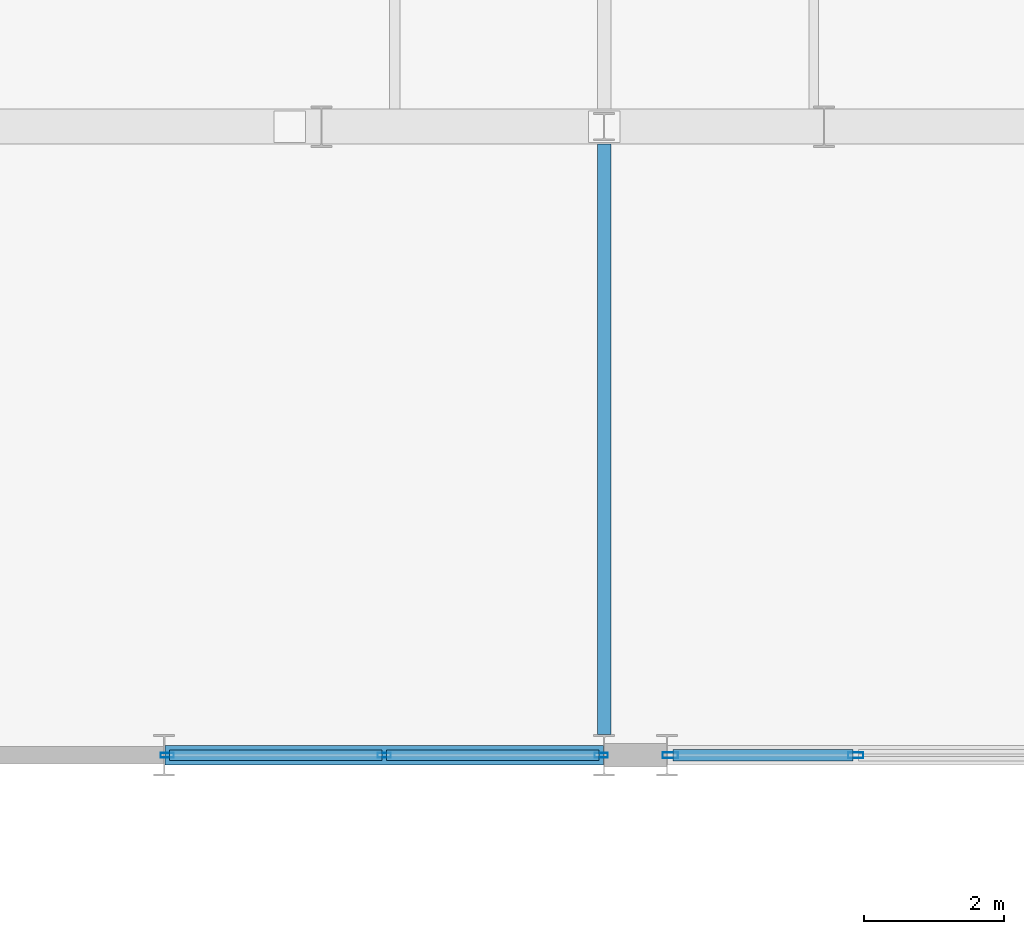
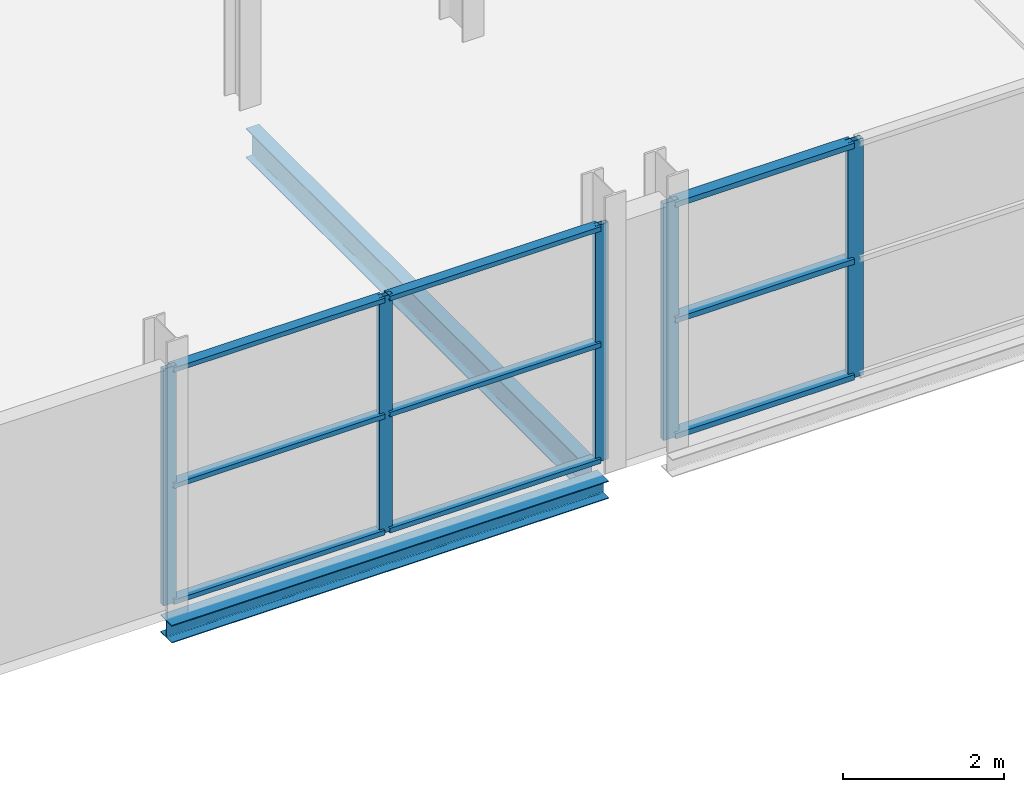
# One storey, part 76 of 135: 14 members, 2 beams, 2 elements without a shape of their own.
"""IFC4 building model written with IfcOpenShell, lengths in metres."""

from ifc_helpers import new_model, si_unit, direction, frame, origin, origin_2d, place, context, subcontext, project, spatial, hollow_rectangle, i_section, extrude, material, layer, layer_set, material_profile, profile_set, type_object, element, aggregate, save


model = new_model("IFC4")

# Units and contexts
model_context = context("Model", 3, precision=1e-05, world=origin(), true_north=direction((0.0, 1.0)))
body_context = subcontext(model_context, "Body", "Model", "MODEL_VIEW")
ifc_project = project(units=[si_unit("LENGTHUNIT", "METRE"), si_unit("AREAUNIT", "SQUARE_METRE"), si_unit("VOLUMEUNIT", "CUBIC_METRE"), si_unit("PLANEANGLEUNIT", "RADIAN"), si_unit("MASSUNIT", "GRAM", prefix="KILO")], contexts=[model_context])

# Site, building, storey
site_placement = place(None, origin())
site = spatial("IfcSite", under=ifc_project, at=site_placement, CompositionType="ELEMENT")
building_placement = place(site_placement, origin())
building = spatial("IfcBuilding", under=site, at=building_placement, Name="Deido Ridge Mobility Hub", CompositionType="ELEMENT")
storey_placement = place(building_placement, frame((0.0, 0.0, 4.199951171875)))
storey = spatial("IfcBuildingStorey", under=building, at=storey_placement, Name="L01", CompositionType="ELEMENT", Elevation=4.199951171875)

# Beam
ifc_material_1 = material(Name="Steel S355J2 EN 10025-2", Category="steel")
ifc_material_profile_1 = material_profile(ifc_material_1, i_section(OverallWidth=0.18994140625, OverallDepth=0.449951171875, WebThickness=0.009521484375, FlangeThickness=0.0146484375, FilletRadius=0.02099609375, at=origin_2d()), Name="IPE 450")
ifc_profile_set_1 = profile_set([ifc_material_profile_1], Name="Steel S355J2 EN 10025-2")
beam_type_1 = type_object("IfcBeamType", Name="BM-IPE450", PredefinedType="BEAM", material=ifc_profile_set_1)
beam_1_placement = place(storey_placement, frame((135.0, 0.300048828125, -0.474853515625), z_axis=(0.0, 1.0, 0.0), x_axis=(-1.0, 0.0, 0.0)))
element("IfcBeam", 1, at=beam_1_placement, inside=storey, type_object=beam_type_1, Name="Floor beam B4", PredefinedType="BEAM", context=body_context, shape_type="SweptSolid", body=[
    extrude(i_section(OverallWidth=0.18994140625, OverallDepth=0.449951171875, WebThickness=0.009521484375, FlangeThickness=0.0146484375, FilletRadius=0.02099609375, at=origin_2d()), origin(), (0.0, 0.0, 1.0), 8.449951171875),
])

# Curtain wall, members
ifc_material_2 = material(Name="Anodised aluminium EN AW-6063 T6", Category="aluminium")
ifc_layer_1 = layer(ifc_material_2, 0.22509765625, Name="Anodised aluminium EN AW-6063 T6")
ifc_layer_set_1 = layer_set([ifc_layer_1], Name="Anodised aluminium EN AW-6063 T6")
curtain_wall_type_1 = type_object("IfcCurtainWallType", Name="CW-UF-5", PredefinedType="USERDEFINED", material=ifc_layer_set_1)
curtain_wall_1_placement = place(storey_placement, origin())
curtain_wall_1 = element("IfcCurtainWall", 2, at=curtain_wall_1_placement, inside=storey, type_object=curtain_wall_type_1, Name="Unitised curtain wall CW5", ObjectType="UNITISED FACADE", PredefinedType="USERDEFINED")
ifc_material_profile_2 = material_profile(ifc_material_2, hollow_rectangle(XDim=0.070068359375, YDim=0.18994140625, WallThickness=0.00390625, at=origin_2d()), Name="RHS 70x190x4")
ifc_profile_set_2 = profile_set([ifc_material_profile_2], Name="Anodised aluminium EN AW-6063 T6")
member_type_1 = type_object("IfcMemberType", Name="MEM-MUL-70X190", PredefinedType="MULLION", material=ifc_profile_set_2)
member_1_placement = place(storey_placement, frame((128.74267578125, 0.0, 0.0), z_axis=(0.0, 0.0, 1.0), x_axis=(0.0, 1.0, 0.0)))
member_1 = element("IfcMember", 3, at=member_1_placement, type_object=member_type_1, Name="CW5 mullion 1", PredefinedType="MULLION", context=body_context, shape_type="SweptSolid", body=[
    extrude(hollow_rectangle(XDim=0.070068359375, YDim=0.18994140625, WallThickness=0.00390625, at=origin_2d()), origin(), (0.0, 0.0, 1.0), 3.60009765625),
])
member_2_placement = place(storey_placement, frame((131.85009765625, 0.0, 0.0), z_axis=(0.0, 0.0, 1.0), x_axis=(0.0, 1.0, 0.0)))
member_2 = element("IfcMember", 4, at=member_2_placement, type_object=member_type_1, Name="CW5 mullion 2", PredefinedType="MULLION", context=body_context, shape_type="SweptSolid", body=[
    extrude(hollow_rectangle(XDim=0.070068359375, YDim=0.18994140625, WallThickness=0.00390625, at=origin_2d()), origin(), (0.0, 0.0, 1.0), 3.60009765625),
])
member_3_placement = place(storey_placement, frame((134.957275390625, 0.0, 0.0), z_axis=(0.0, 0.0, 1.0), x_axis=(0.0, 1.0, 0.0)))
member_3 = element("IfcMember", 5, at=member_3_placement, type_object=member_type_1, Name="CW5 mullion 3", PredefinedType="MULLION", context=body_context, shape_type="SweptSolid", body=[
    extrude(hollow_rectangle(XDim=0.070068359375, YDim=0.18994140625, WallThickness=0.00390625, at=origin_2d()), origin(), (0.0, 0.0, 1.0), 3.60009765625),
])

ifc_layer_2 = layer(ifc_material_2, 0.2548828125, Name="Anodised aluminium EN AW-6063 T6")
ifc_layer_set_2 = layer_set([ifc_layer_2], Name="Anodised aluminium EN AW-6063 T6")
curtain_wall_type_2 = type_object("IfcCurtainWallType", Name="CW-UF-7", PredefinedType="USERDEFINED", material=ifc_layer_set_2)
curtain_wall_2_placement = place(storey_placement, origin())
curtain_wall_2 = element("IfcCurtainWall", 6, at=curtain_wall_2_placement, inside=storey, type_object=curtain_wall_type_2, Name="Unitised curtain wall CW7", ObjectType="UNITISED FACADE", PredefinedType="USERDEFINED")
ifc_material_profile_3 = material_profile(ifc_material_2, hollow_rectangle(XDim=0.080078125, YDim=0.219970703125, WallThickness=0.00390625, at=origin_2d()), Name="RHS 80x220x4")
ifc_profile_set_3 = profile_set([ifc_material_profile_3], Name="Anodised aluminium EN AW-6063 T6")
member_type_2 = type_object("IfcMemberType", Name="MEM-MUL-80X220", PredefinedType="MULLION", material=ifc_profile_set_3)
member_4_placement = place(storey_placement, frame((135.94775390625, 0.0, 0.0), z_axis=(0.0, 0.0, 1.0), x_axis=(0.0, 1.0, 0.0)))
member_4 = element("IfcMember", 7, at=member_4_placement, type_object=member_type_2, Name="CW7 mullion 1", PredefinedType="MULLION", context=body_context, shape_type="SweptSolid", body=[
    extrude(hollow_rectangle(XDim=0.080078125, YDim=0.219970703125, WallThickness=0.00390625, at=origin_2d()), origin(), (0.0, 0.0, 1.0), 3.60009765625),
])
member_5_placement = place(storey_placement, frame((138.602294921875, 0.0, 0.0), z_axis=(0.0, 0.0, 1.0), x_axis=(0.0, 1.0, 0.0)))
member_5 = element("IfcMember", 8, at=member_5_placement, type_object=member_type_2, Name="CW7 mullion 2", PredefinedType="MULLION", context=body_context, shape_type="SweptSolid", body=[
    extrude(hollow_rectangle(XDim=0.080078125, YDim=0.219970703125, WallThickness=0.00390625, at=origin_2d()), origin(), (0.0, 0.0, 1.0), 3.60009765625),
])

# Member
ifc_material_profile_4 = material_profile(ifc_material_2, hollow_rectangle(XDim=0.14501953125, YDim=0.070068359375, WallThickness=0.00390625, at=origin_2d()), Name="RHS 145x70x4")
ifc_profile_set_4 = profile_set([ifc_material_profile_4], Name="Anodised aluminium EN AW-6063 T6")
member_type_3 = type_object("IfcMemberType", Name="MEM-TRN-145X70", PredefinedType="USERDEFINED", material=ifc_profile_set_4)
member_6_placement = place(storey_placement, frame((128.777587890625, 0.0, 0.03515625), z_axis=(1.0, 0.0, 0.0), x_axis=(0.0, 1.0, 0.0)))
member_6 = element("IfcMember", 9, at=member_6_placement, type_object=member_type_3, Name="CW5 transom 1.1", ObjectType="TRANSOM", PredefinedType="USERDEFINED", context=body_context, shape_type="SweptSolid", body=[
    extrude(hollow_rectangle(XDim=0.14501953125, YDim=0.070068359375, WallThickness=0.00390625, at=origin_2d()), origin(), (0.0, 0.0, 1.0), 3.037353515625),
])

member_7_placement = place(storey_placement, frame((128.777587890625, 0.0, 1.800048828125), z_axis=(1.0, 0.0, 0.0), x_axis=(0.0, 1.0, 0.0)))
member_7 = element("IfcMember", 10, at=member_7_placement, type_object=member_type_3, Name="CW5 transom 1.2", ObjectType="TRANSOM", PredefinedType="USERDEFINED", context=body_context, shape_type="SweptSolid", body=[
    extrude(hollow_rectangle(XDim=0.14501953125, YDim=0.070068359375, WallThickness=0.00390625, at=origin_2d()), origin(), (0.0, 0.0, 1.0), 3.037353515625),
])

member_8_placement = place(storey_placement, frame((128.777587890625, 0.0, 3.56494140625), z_axis=(1.0, 0.0, 0.0), x_axis=(0.0, 1.0, 0.0)))
member_8 = element("IfcMember", 11, at=member_8_placement, type_object=member_type_3, Name="CW5 transom 1.3", ObjectType="TRANSOM", PredefinedType="USERDEFINED", context=body_context, shape_type="SweptSolid", body=[
    extrude(hollow_rectangle(XDim=0.14501953125, YDim=0.070068359375, WallThickness=0.00390625, at=origin_2d()), origin(), (0.0, 0.0, 1.0), 3.037353515625),
])

member_9_placement = place(storey_placement, frame((131.885009765625, 0.0, 0.03515625), z_axis=(1.0, 0.0, 0.0), x_axis=(0.0, 1.0, 0.0)))
member_9 = element("IfcMember", 12, at=member_9_placement, type_object=member_type_3, Name="CW5 transom 2.1", ObjectType="TRANSOM", PredefinedType="USERDEFINED", context=body_context, shape_type="SweptSolid", body=[
    extrude(hollow_rectangle(XDim=0.14501953125, YDim=0.070068359375, WallThickness=0.00390625, at=origin_2d()), origin(), (0.0, 0.0, 1.0), 3.037353515625),
])

member_10_placement = place(storey_placement, frame((131.885009765625, 0.0, 1.800048828125), z_axis=(1.0, 0.0, 0.0), x_axis=(0.0, 1.0, 0.0)))
member_10 = element("IfcMember", 13, at=member_10_placement, type_object=member_type_3, Name="CW5 transom 2.2", ObjectType="TRANSOM", PredefinedType="USERDEFINED", context=body_context, shape_type="SweptSolid", body=[
    extrude(hollow_rectangle(XDim=0.14501953125, YDim=0.070068359375, WallThickness=0.00390625, at=origin_2d()), origin(), (0.0, 0.0, 1.0), 3.037353515625),
])

member_11_placement = place(storey_placement, frame((131.885009765625, 0.0, 3.56494140625), z_axis=(1.0, 0.0, 0.0), x_axis=(0.0, 1.0, 0.0)))
member_11 = element("IfcMember", 14, at=member_11_placement, type_object=member_type_3, Name="CW5 transom 2.3", ObjectType="TRANSOM", PredefinedType="USERDEFINED", context=body_context, shape_type="SweptSolid", body=[
    extrude(hollow_rectangle(XDim=0.14501953125, YDim=0.070068359375, WallThickness=0.00390625, at=origin_2d()), origin(), (0.0, 0.0, 1.0), 3.037353515625),
])

aggregate(curtain_wall_1, [member_1, member_2, member_3, member_6, member_7, member_8, member_9, member_10, member_11])

ifc_material_profile_5 = material_profile(ifc_material_2, hollow_rectangle(XDim=0.1650390625, YDim=0.080078125, WallThickness=0.00390625, at=origin_2d()), Name="RHS 165x80x4")
ifc_profile_set_5 = profile_set([ifc_material_profile_5], Name="Anodised aluminium EN AW-6063 T6")
member_type_4 = type_object("IfcMemberType", Name="MEM-TRN-165X80", PredefinedType="USERDEFINED", material=ifc_profile_set_5)
member_12_placement = place(storey_placement, frame((135.98779296875, 0.0, 0.0400390625), z_axis=(1.0, 0.0, 0.0), x_axis=(0.0, 1.0, 0.0)))
member_12 = element("IfcMember", 15, at=member_12_placement, type_object=member_type_4, Name="CW7 transom 1.1", ObjectType="TRANSOM", PredefinedType="USERDEFINED", context=body_context, shape_type="SweptSolid", body=[
    extrude(hollow_rectangle(XDim=0.1650390625, YDim=0.080078125, WallThickness=0.00390625, at=origin_2d()), origin(), (0.0, 0.0, 1.0), 2.574462890625),
])

member_13_placement = place(storey_placement, frame((135.98779296875, 0.0, 1.800048828125), z_axis=(1.0, 0.0, 0.0), x_axis=(0.0, 1.0, 0.0)))
member_13 = element("IfcMember", 16, at=member_13_placement, type_object=member_type_4, Name="CW7 transom 1.2", ObjectType="TRANSOM", PredefinedType="USERDEFINED", context=body_context, shape_type="SweptSolid", body=[
    extrude(hollow_rectangle(XDim=0.1650390625, YDim=0.080078125, WallThickness=0.00390625, at=origin_2d()), origin(), (0.0, 0.0, 1.0), 2.574462890625),
])

member_14_placement = place(storey_placement, frame((135.98779296875, 0.0, 3.56005859375), z_axis=(1.0, 0.0, 0.0), x_axis=(0.0, 1.0, 0.0)))
member_14 = element("IfcMember", 17, at=member_14_placement, type_object=member_type_4, Name="CW7 transom 1.3", ObjectType="TRANSOM", PredefinedType="USERDEFINED", context=body_context, shape_type="SweptSolid", body=[
    extrude(hollow_rectangle(XDim=0.1650390625, YDim=0.080078125, WallThickness=0.00390625, at=origin_2d()), origin(), (0.0, 0.0, 1.0), 2.574462890625),
])

aggregate(curtain_wall_2, [member_4, member_5, member_12, member_13, member_14])

# Beam
ifc_material_profile_6 = material_profile(ifc_material_1, i_section(OverallWidth=0.280029296875, OverallDepth=0.27001953125, WebThickness=0.008056640625, FlangeThickness=0.012939453125, FilletRadius=0.02392578125, at=origin_2d()), Name="HEA 280")
ifc_profile_set_6 = profile_set([ifc_material_profile_6], Name="Steel S355J2 EN 10025-2")
beam_type_2 = type_object("IfcBeamType", Name="SPD-HEA280", PredefinedType="SPANDREL", material=ifc_profile_set_6)
beam_2_placement = place(storey_placement, frame((128.707763671875, 0.0, -0.385009765625), z_axis=(1.0, 0.0, 0.0), x_axis=(0.0, 1.0, 0.0)))
element("IfcBeam", 18, at=beam_2_placement, inside=storey, type_object=beam_type_2, Name="Floor beam SP2", PredefinedType="SPANDREL", context=body_context, shape_type="SweptSolid", body=[
    extrude(i_section(OverallWidth=0.280029296875, OverallDepth=0.27001953125, WebThickness=0.008056640625, FlangeThickness=0.012939453125, FilletRadius=0.02392578125, at=origin_2d()), origin(), (0.0, 0.0, 1.0), 6.284423828125),
])

save(model, "model.ifc")
